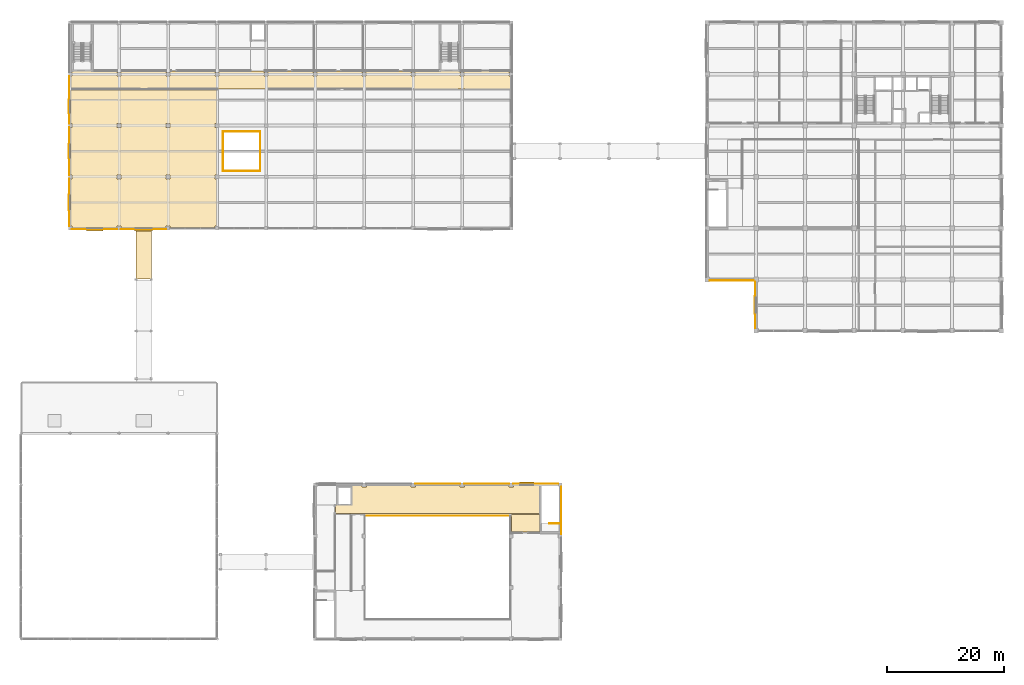
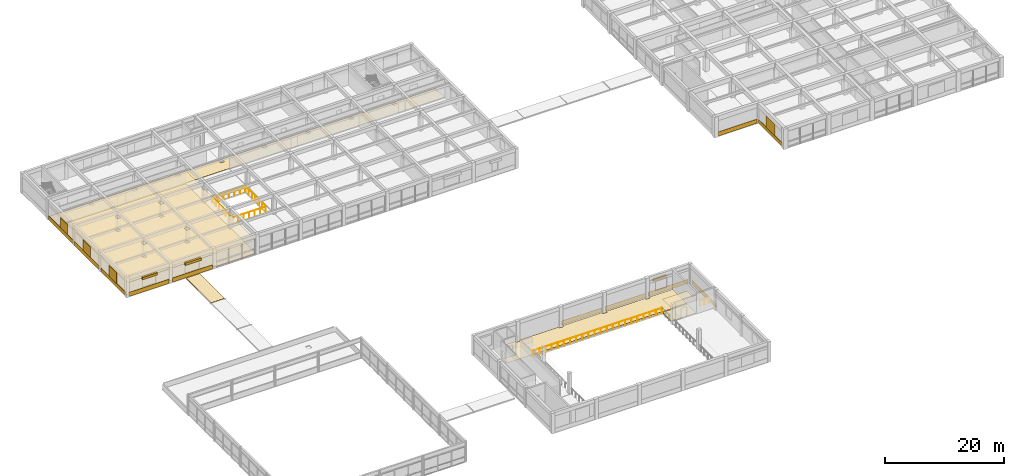
# One storey, part 39 of 46: 18 coverings, 7 shading devices, 6 railings.
"""IFC4 building model written with IfcOpenShell, lengths in metres."""

from ifc_helpers import new_model, si_unit, direction, frame, origin, origin_2d, place, context, subcontext, project, spatial, polyline, rectangle, circle, outline, extrude, material, layer, layer_set, type_object, element, save


model = new_model("IFC4")

# Units and contexts
model_context = context("Model", 3, precision=1e-05, world=origin(), true_north=direction((0.0, 1.0)))
body_context = subcontext(model_context, "Body", "Model", "MODEL_VIEW")
ifc_project = project(units=[si_unit("LENGTHUNIT", "METRE"), si_unit("AREAUNIT", "SQUARE_METRE"), si_unit("VOLUMEUNIT", "CUBIC_METRE"), si_unit("PLANEANGLEUNIT", "RADIAN"), si_unit("MASSUNIT", "GRAM", prefix="KILO")], contexts=[model_context])

# Site, building, storey
site_placement = place(None, origin())
site = spatial("IfcSite", under=ifc_project, at=site_placement, CompositionType="ELEMENT")
building_placement = place(site_placement, origin())
building = spatial("IfcBuilding", under=site, at=building_placement, Name="Kemercrest Conservatory and Botanical Centre", CompositionType="ELEMENT")
storey_placement = place(building_placement, frame((0.0, 0.0, 9.0)))
storey = spatial("IfcBuildingStorey", under=building, at=storey_placement, Name="L02", CompositionType="ELEMENT", Elevation=9.0)

# Coverings
ifc_material_1 = material(Name="Honed limestone almasik ashlar rainscreen", Category="masonry")
ifc_layer_1 = layer(ifc_material_1, 0.0400390625)
ifc_layer_set_1 = layer_set([ifc_layer_1], Name="Honed limestone almasik ashlar rainscreen")
covering_type_1 = type_object("IfcCoveringType", Name="CV-CLD040", PredefinedType="CLADDING", material=ifc_layer_set_1)
covering_1_placement = place(storey_placement, origin())
element("IfcCovering", 1, at=covering_1_placement, inside=storey, type_object=covering_type_1, Name="Exterior stone spandrel cladding (WAL:L02:EXT-060)", PredefinedType="CLADDING", context=body_context, shape_type="SweptSolid", body=[
    extrude(outline(polyline([(100.550048828125, 34.7099609375), (100.590087890625, 34.7099609375), (100.590087890625, 42.889892578125), (100.550048828125, 42.889892578125), (100.550048828125, 34.7099609375)])), origin(), (0.0, 0.0, 1.0), 0.85009765625),
])
covering_2_placement = place(storey_placement, origin())
element("IfcCovering", 2, at=covering_2_placement, inside=storey, type_object=covering_type_1, Name="Exterior stone spandrel cladding (WAL:L02:EXT-061)", PredefinedType="CLADDING", context=body_context, shape_type="SweptSolid", body=[
    extrude(outline(polyline([(100.090087890625, 43.35009765625), (100.090087890625, 43.389892578125), (92.360107421875, 43.389892578125), (92.360107421875, 43.35009765625), (100.090087890625, 43.35009765625)])), origin(), (0.0, 0.0, 1.0), 0.85009765625),
])
covering_3_placement = place(storey_placement, origin())
element("IfcCovering", 3, at=covering_3_placement, inside=storey, type_object=covering_type_1, Name="Exterior stone spandrel cladding (WAL:L02:EXT-062)", PredefinedType="CLADDING", context=body_context, shape_type="SweptSolid", body=[
    extrude(outline(polyline([(91.639892578125, 43.35009765625), (91.639892578125, 43.389892578125), (83.9599609375, 43.389892578125), (83.9599609375, 43.35009765625), (91.639892578125, 43.35009765625)])), origin(), (0.0, 0.0, 1.0), 0.85009765625),
])
covering_4_placement = place(storey_placement, origin())
element("IfcCovering", 4, at=covering_4_placement, inside=storey, type_object=covering_type_1, Name="Exterior stone spandrel cladding (WAL:L02:EXT-063)", PredefinedType="CLADDING", context=body_context, shape_type="SweptSolid", body=[
    extrude(outline(polyline([(83.239990234375, 43.35009765625), (83.239990234375, 43.389892578125), (75.56005859375, 43.389892578125), (75.56005859375, 43.35009765625), (83.239990234375, 43.35009765625)])), origin(), (0.0, 0.0, 1.0), 0.85009765625),
])
covering_5_placement = place(storey_placement, origin())
element("IfcCovering", 5, at=covering_5_placement, inside=storey, type_object=covering_type_1, Name="Exterior stone spandrel cladding (WAL:L02:EXT-117)", PredefinedType="CLADDING", context=body_context, shape_type="SweptSolid", body=[
    extrude(outline(polyline([(16.7099609375, 87.050048828125), (16.7099609375, 87.010009765625), (24.489990234375, 87.010009765625), (24.489990234375, 87.050048828125), (16.7099609375, 87.050048828125)])), origin(), (0.0, 0.0, 1.0), 0.85009765625),
])
covering_6_placement = place(storey_placement, origin())
element("IfcCovering", 6, at=covering_6_placement, inside=storey, type_object=covering_type_1, Name="Exterior stone spandrel cladding (WAL:L02:EXT-118)", PredefinedType="CLADDING", context=body_context, shape_type="SweptSolid", body=[
    extrude(outline(polyline([(25.110107421875, 87.050048828125), (25.110107421875, 87.010009765625), (32.889892578125, 87.010009765625), (32.889892578125, 87.050048828125), (25.110107421875, 87.050048828125)])), origin(), (0.0, 0.0, 1.0), 0.85009765625),
])
covering_7_placement = place(storey_placement, origin())
element("IfcCovering", 7, at=covering_7_placement, inside=storey, type_object=covering_type_1, Name="Exterior stone spandrel cladding (WAL:L02:EXT-135)", PredefinedType="CLADDING", context=body_context, shape_type="SweptSolid", body=[
    extrude(outline(polyline([(16.25, 113.2900390625), (16.2099609375, 113.2900390625), (16.2099609375, 105.110107421875), (16.25, 105.110107421875), (16.25, 113.2900390625)])), origin(), (0.0, 0.0, 1.0), 0.85009765625),
])
covering_8_placement = place(storey_placement, origin())
element("IfcCovering", 8, at=covering_8_placement, inside=storey, type_object=covering_type_1, Name="Exterior stone spandrel cladding (WAL:L02:EXT-136)", PredefinedType="CLADDING", context=body_context, shape_type="SweptSolid", body=[
    extrude(outline(polyline([(16.25, 104.489990234375), (16.2099609375, 104.489990234375), (16.2099609375, 96.31005859375), (16.25, 96.31005859375), (16.25, 104.489990234375)])), origin(), (0.0, 0.0, 1.0), 0.85009765625),
])
covering_9_placement = place(storey_placement, origin())
element("IfcCovering", 9, at=covering_9_placement, inside=storey, type_object=covering_type_1, Name="Exterior stone spandrel cladding (WAL:L02:EXT-137)", PredefinedType="CLADDING", context=body_context, shape_type="SweptSolid", body=[
    extrude(outline(polyline([(16.25, 95.68994140625), (16.2099609375, 95.68994140625), (16.2099609375, 87.510009765625), (16.25, 87.510009765625), (16.25, 95.68994140625)])), origin(), (0.0, 0.0, 1.0), 0.85009765625),
])
covering_10_placement = place(storey_placement, origin())
element("IfcCovering", 10, at=covering_10_placement, inside=storey, type_object=covering_type_1, Name="Exterior stone spandrel cladding (WAL:L02:EXT-208)", PredefinedType="CLADDING", context=body_context, shape_type="SweptSolid", body=[
    extrude(outline(polyline([(126.010009765625, 78.25), (126.010009765625, 78.2099609375), (133.590087890625, 78.2099609375), (133.590087890625, 78.25), (126.010009765625, 78.25)])), origin(), (0.0, 0.0, 1.0), 0.85009765625),
])
covering_11_placement = place(storey_placement, origin())
element("IfcCovering", 11, at=covering_11_placement, inside=storey, type_object=covering_type_1, Name="Exterior stone spandrel cladding (WAL:L02:EXT-209)", PredefinedType="CLADDING", context=body_context, shape_type="SweptSolid", body=[
    extrude(outline(polyline([(133.85009765625, 77.989990234375), (133.81005859375, 77.989990234375), (133.81005859375, 70.010009765625), (133.85009765625, 70.010009765625), (133.85009765625, 77.989990234375)])), origin(), (0.0, 0.0, 1.0), 0.85009765625),
])
ifc_material_2 = material(Name="Perforated acoustic gypsum and mineral-fibre suspended ceiling", Category="gypsum")
ifc_layer_2 = layer(ifc_material_2, 0.034912109375)
ifc_layer_set_2 = layer_set([ifc_layer_2], Name="Perforated acoustic gypsum and mineral-fibre suspended ceiling")
covering_type_2 = type_object("IfcCoveringType", Name="CV-CLG035", PredefinedType="CEILING", material=ifc_layer_set_2)
covering_12_placement = place(storey_placement, frame((0.0, 0.0, 2.699951171875)))
element("IfcCovering", 12, at=covering_12_placement, inside=storey, type_object=covering_type_2, Name="East Upper Gallery Lobby suspended acoustic ceiling", PredefinedType="CEILING", context=body_context, shape_type="SweptSolid", body=[
    extrude(outline(polyline([(92.080078125, 35.080078125), (96.919921875, 35.080078125), (96.919921875, 38.1201171875), (92.080078125, 38.1201171875), (92.080078125, 35.080078125)])), origin(), (0.0, 0.0, 1.0), 0.03515625),
])
covering_13_placement = place(storey_placement, frame((0.0, 0.0, 2.699951171875)))
element("IfcCovering", 13, at=covering_13_placement, inside=storey, type_object=covering_type_2, Name="Pacific Flora Exhibition Gallery suspended acoustic ceiling", PredefinedType="CEILING", context=body_context, shape_type="SweptSolid", body=[
    extrude(outline(polyline([(32.860107421875, 87.5400390625), (33.5400390625, 87.5400390625), (33.5400390625, 87.280029296875), (41.260009765625, 87.280029296875), (41.260009765625, 87.5400390625), (41.52001953125, 87.5400390625), (41.52001953125, 95.659912109375), (41.260009765625, 95.659912109375), (41.260009765625, 96.340087890625), (41.52001953125, 96.340087890625), (41.52001953125, 104.4599609375), (41.260009765625, 104.4599609375), (41.260009765625, 105.139892578125), (41.52001953125, 105.139892578125), (41.52001953125, 110.919921875), (16.47998046875, 110.919921875), (16.47998046875, 105.139892578125), (16.739990234375, 105.139892578125), (16.739990234375, 104.4599609375), (16.47998046875, 104.4599609375), (16.47998046875, 96.340087890625), (16.739990234375, 96.340087890625), (16.739990234375, 95.659912109375), (16.47998046875, 95.659912109375), (16.47998046875, 87.5400390625), (16.739990234375, 87.5400390625), (16.739990234375, 87.280029296875), (24.4599609375, 87.280029296875), (24.4599609375, 87.5400390625), (25.139892578125, 87.5400390625), (25.139892578125, 87.280029296875), (32.860107421875, 87.280029296875), (32.860107421875, 87.5400390625)]), holes=[polyline([(33.5400390625, 95.659912109375), (32.860107421875, 95.659912109375), (32.860107421875, 96.340087890625), (33.5400390625, 96.340087890625), (33.5400390625, 95.659912109375)]), polyline([(33.5400390625, 104.4599609375), (32.860107421875, 104.4599609375), (32.860107421875, 105.139892578125), (33.5400390625, 105.139892578125), (33.5400390625, 104.4599609375)]), polyline([(25.139892578125, 95.659912109375), (24.4599609375, 95.659912109375), (24.4599609375, 96.340087890625), (25.139892578125, 96.340087890625), (25.139892578125, 95.659912109375)]), polyline([(25.139892578125, 104.4599609375), (24.4599609375, 104.4599609375), (24.4599609375, 105.139892578125), (25.139892578125, 105.139892578125), (25.139892578125, 104.4599609375)])]), origin(), (0.0, 0.0, 1.0), 0.03515625),
])
ifc_material_3 = material(Name="Polished limestone terrazzo and seamless laboratory epoxy flooring", Category="masonry")
ifc_layer_3 = layer(ifc_material_3, 0.02001953125)
ifc_layer_set_3 = layer_set([ifc_layer_3], Name="Polished limestone terrazzo and seamless laboratory epoxy flooring")
covering_type_3 = type_object("IfcCoveringType", Name="CV-FLR020", PredefinedType="FLOORING", material=ifc_layer_set_3)
covering_14_placement = place(storey_placement, origin())
element("IfcCovering", 14, at=covering_14_placement, inside=storey, type_object=covering_type_3, Name="Upper Auditorium Gallery Corridor terrazzo floor finish", PredefinedType="FLOORING", context=body_context, shape_type="SweptSolid", body=[
    extrude(outline(polyline([(61.8798828125, 39.719970703125), (61.8798828125, 38.280029296875), (96.919921875, 38.280029296875), (96.919921875, 43.1201171875), (92.389892578125, 43.1201171875), (92.389892578125, 42.81005859375), (91.610107421875, 42.81005859375), (91.610107421875, 43.1201171875), (83.989990234375, 43.1201171875), (83.989990234375, 42.81005859375), (83.2099609375, 42.81005859375), (83.2099609375, 43.1201171875), (75.590087890625, 43.1201171875), (75.590087890625, 42.81005859375), (74.81005859375, 42.81005859375), (74.81005859375, 43.1201171875), (67.18994140625, 43.1201171875), (67.18994140625, 42.81005859375), (66.409912109375, 42.81005859375), (66.409912109375, 43.1201171875), (64.679931640625, 43.1201171875), (64.679931640625, 39.719970703125), (61.8798828125, 39.719970703125)])), origin(), (0.0, 0.0, 1.0), 0.02001953125),
])
covering_15_placement = place(storey_placement, origin())
element("IfcCovering", 15, at=covering_15_placement, inside=storey, type_object=covering_type_3, Name="East Upper Gallery Lobby floor finish", PredefinedType="FLOORING", context=body_context, shape_type="SweptSolid", body=[
    extrude(outline(polyline([(92.080078125, 35.080078125), (96.919921875, 35.080078125), (96.919921875, 38.1201171875), (92.080078125, 38.1201171875), (92.080078125, 35.080078125)])), origin(), (0.0, 0.0, 1.0), 0.02001953125),
])
covering_16_placement = place(storey_placement, origin())
element("IfcCovering", 16, at=covering_16_placement, inside=storey, type_object=covering_type_3, Name="Gallery Spine Corridor floor finish", PredefinedType="FLOORING", context=body_context, shape_type="SweptSolid", body=[
    extrude(outline(polyline([(16.739990234375, 113.260009765625), (16.47998046875, 113.260009765625), (16.47998046875, 111.080078125), (91.919921875, 111.080078125), (91.919921875, 113.260009765625), (91.659912109375, 113.260009765625), (91.659912109375, 113.93994140625), (91.919921875, 113.93994140625), (91.919921875, 114.1201171875), (16.47998046875, 114.1201171875), (16.47998046875, 113.93994140625), (16.739990234375, 113.93994140625), (16.739990234375, 113.260009765625)]), holes=[polyline([(83.93994140625, 113.260009765625), (83.260009765625, 113.260009765625), (83.260009765625, 113.93994140625), (83.93994140625, 113.93994140625), (83.93994140625, 113.260009765625)]), polyline([(75.5400390625, 113.260009765625), (74.860107421875, 113.260009765625), (74.860107421875, 113.93994140625), (75.5400390625, 113.93994140625), (75.5400390625, 113.260009765625)]), polyline([(67.139892578125, 113.260009765625), (66.4599609375, 113.260009765625), (66.4599609375, 113.93994140625), (67.139892578125, 113.93994140625), (67.139892578125, 113.260009765625)]), polyline([(58.739990234375, 113.260009765625), (58.06005859375, 113.260009765625), (58.06005859375, 113.93994140625), (58.739990234375, 113.93994140625), (58.739990234375, 113.260009765625)]), polyline([(50.340087890625, 113.260009765625), (49.659912109375, 113.260009765625), (49.659912109375, 113.93994140625), (50.340087890625, 113.93994140625), (50.340087890625, 113.260009765625)]), polyline([(41.93994140625, 113.260009765625), (41.260009765625, 113.260009765625), (41.260009765625, 113.93994140625), (41.93994140625, 113.93994140625), (41.93994140625, 113.260009765625)]), polyline([(33.5400390625, 113.260009765625), (32.860107421875, 113.260009765625), (32.860107421875, 113.93994140625), (33.5400390625, 113.93994140625), (33.5400390625, 113.260009765625)]), polyline([(25.139892578125, 113.260009765625), (24.4599609375, 113.260009765625), (24.4599609375, 113.93994140625), (25.139892578125, 113.93994140625), (25.139892578125, 113.260009765625)])]), origin(), (0.0, 0.0, 1.0), 0.02001953125),
])
covering_17_placement = place(storey_placement, origin())
element("IfcCovering", 17, at=covering_17_placement, inside=storey, type_object=covering_type_3, Name="Pacific Flora Exhibition Gallery floor finish", PredefinedType="FLOORING", context=body_context, shape_type="SweptSolid", body=[
    extrude(outline(polyline([(32.860107421875, 87.5400390625), (33.5400390625, 87.5400390625), (33.5400390625, 87.280029296875), (41.260009765625, 87.280029296875), (41.260009765625, 87.5400390625), (41.52001953125, 87.5400390625), (41.52001953125, 95.659912109375), (41.260009765625, 95.659912109375), (41.260009765625, 96.340087890625), (41.52001953125, 96.340087890625), (41.52001953125, 104.4599609375), (41.260009765625, 104.4599609375), (41.260009765625, 105.139892578125), (41.52001953125, 105.139892578125), (41.52001953125, 110.919921875), (16.47998046875, 110.919921875), (16.47998046875, 105.139892578125), (16.739990234375, 105.139892578125), (16.739990234375, 104.4599609375), (16.47998046875, 104.4599609375), (16.47998046875, 96.340087890625), (16.739990234375, 96.340087890625), (16.739990234375, 95.659912109375), (16.47998046875, 95.659912109375), (16.47998046875, 87.5400390625), (16.739990234375, 87.5400390625), (16.739990234375, 87.280029296875), (24.4599609375, 87.280029296875), (24.4599609375, 87.5400390625), (25.139892578125, 87.5400390625), (25.139892578125, 87.280029296875), (32.860107421875, 87.280029296875), (32.860107421875, 87.5400390625)]), holes=[polyline([(33.5400390625, 95.659912109375), (32.860107421875, 95.659912109375), (32.860107421875, 96.340087890625), (33.5400390625, 96.340087890625), (33.5400390625, 95.659912109375)]), polyline([(33.5400390625, 104.4599609375), (32.860107421875, 104.4599609375), (32.860107421875, 105.139892578125), (33.5400390625, 105.139892578125), (33.5400390625, 104.4599609375)]), polyline([(25.139892578125, 95.659912109375), (24.4599609375, 95.659912109375), (24.4599609375, 96.340087890625), (25.139892578125, 96.340087890625), (25.139892578125, 95.659912109375)]), polyline([(25.139892578125, 104.4599609375), (24.4599609375, 104.4599609375), (24.4599609375, 105.139892578125), (25.139892578125, 105.139892578125), (25.139892578125, 104.4599609375)])]), origin(), (0.0, 0.0, 1.0), 0.02001953125),
])
ifc_material_4 = material(Name="SBS modified bitumen insulated roofing membrane", Category="roofing")
ifc_layer_4 = layer(ifc_material_4, 0.06005859375)
ifc_layer_set_4 = layer_set([ifc_layer_4], Name="SBS modified bitumen insulated roofing membrane")
covering_type_4 = type_object("IfcCoveringType", Name="CV-RFG060", PredefinedType="ROOFING", material=ifc_layer_set_4)
covering_18_placement = place(storey_placement, origin())
element("IfcCovering", 18, at=covering_18_placement, inside=storey, type_object=covering_type_4, Name="Insulated roof membrane covering (West Botanical Court Covered Passage SJ-2 L02 span 4 slab)", PredefinedType="ROOFING", context=body_context, shape_type="SweptSolid", body=[
    extrude(outline(polyline([(27.699951171875, 78.4599609375), (30.300048828125, 78.4599609375), (30.300048828125, 86.85009765625), (27.699951171875, 86.85009765625), (27.699951171875, 78.4599609375)])), origin(), (0.0, 0.0, 1.0), 0.06005859375),
])

# Railings
ifc_material_5 = material(Name="Painted galvanized steel tubular stair guardrail", Category="steel")
railing_type_1 = type_object("IfcRailingType", Name="GR-STR110", PredefinedType="GUARDRAIL", material=ifc_material_5)
railing_1_placement = place(storey_placement, frame((100.239990234375, 36.590087890625, 0.0)))
element("IfcRailing", 19, at=railing_1_placement, inside=storey, type_object=railing_type_1, Name="L02 ST-V2B top well guard 1", PredefinedType="GUARDRAIL", context=body_context, shape_type="SweptSolid", body=[
    extrude(circle(Radius=0.02392578125, at=origin_2d()), frame((0.0, 0.0, 1.076171875), z_axis=(-1.0, 0.0, 0.0), x_axis=(0.0, -1.0, 0.0)), (0.0, 0.0, 1.0), 1.679931640625),
    extrude(circle(Radius=0.02099609375, at=origin_2d()), origin(), (0.0, 0.0, 1.0), 1.052001953125),
    extrude(circle(Radius=0.02099609375, at=origin_2d()), frame((-0.83984375, 0.0, 0.0)), (0.0, 0.0, 1.0), 1.052001953125),
    extrude(circle(Radius=0.02099609375, at=origin_2d()), frame((-1.679931640625, 0.0, 0.0)), (0.0, 0.0, 1.0), 1.052001953125),
])
ifc_material_6 = material(Name="Architectural bronze-anodized steel balustrade", Category="steel")
railing_type_2 = type_object("IfcRailingType", Name="GR-VOI115", PredefinedType="GUARDRAIL", material=ifc_material_6)
railing_2_placement = place(storey_placement, frame((91.89990234375, 37.89990234375, 0.0)))
element("IfcRailing", 20, at=railing_2_placement, inside=storey, type_object=railing_type_2, Name="Safety guardrail GR-VOI115 (V2-UPPER-3)", PredefinedType="GUARDRAIL", context=body_context, shape_type="SweptSolid", body=[
    extrude(circle(Radius=0.02392578125, at=origin_2d()), frame((0.0, 0.0, 1.1259765625), z_axis=(-1.0, 0.0, 0.0), x_axis=(0.0, -1.0, 0.0)), (0.0, 0.0, 1.0), 25.0),
    extrude(circle(Radius=0.02099609375, at=origin_2d()), origin(), (0.0, 0.0, 1.0), 1.101806640625),
    extrude(circle(Radius=0.02099609375, at=origin_2d()), frame((-1.1904296875, 0.0, 0.0)), (0.0, 0.0, 1.0), 1.101806640625),
    extrude(circle(Radius=0.02099609375, at=origin_2d()), frame((-2.380859375, 0.0, 0.0)), (0.0, 0.0, 1.0), 1.101806640625),
    extrude(circle(Radius=0.02099609375, at=origin_2d()), frame((-3.571533203125, 0.0, 0.0)), (0.0, 0.0, 1.0), 1.101806640625),
    extrude(circle(Radius=0.02099609375, at=origin_2d()), frame((-4.761962890625, 0.0, 0.0)), (0.0, 0.0, 1.0), 1.101806640625),
    extrude(circle(Radius=0.02099609375, at=origin_2d()), frame((-5.952392578125, 0.0, 0.0)), (0.0, 0.0, 1.0), 1.101806640625),
    extrude(circle(Radius=0.02099609375, at=origin_2d()), frame((-7.142822265625, 0.0, 0.0)), (0.0, 0.0, 1.0), 1.101806640625),
    extrude(circle(Radius=0.02099609375, at=origin_2d()), frame((-8.333251953125, 0.0, 0.0)), (0.0, 0.0, 1.0), 1.101806640625),
    extrude(circle(Radius=0.02099609375, at=origin_2d()), frame((-9.52392578125, 0.0, 0.0)), (0.0, 0.0, 1.0), 1.101806640625),
    extrude(circle(Radius=0.02099609375, at=origin_2d()), frame((-10.71435546875, 0.0, 0.0)), (0.0, 0.0, 1.0), 1.101806640625),
    extrude(circle(Radius=0.02099609375, at=origin_2d()), frame((-11.90478515625, 0.0, 0.0)), (0.0, 0.0, 1.0), 1.101806640625),
    extrude(circle(Radius=0.02099609375, at=origin_2d()), frame((-13.09521484375, 0.0, 0.0)), (0.0, 0.0, 1.0), 1.101806640625),
    extrude(circle(Radius=0.02099609375, at=origin_2d()), frame((-14.28564453125, 0.0, 0.0)), (0.0, 0.0, 1.0), 1.101806640625),
    extrude(circle(Radius=0.02099609375, at=origin_2d()), frame((-15.47607421875, 0.0, 0.0)), (0.0, 0.0, 1.0), 1.101806640625),
    extrude(circle(Radius=0.02099609375, at=origin_2d()), frame((-16.666748046875, 0.0, 0.0)), (0.0, 0.0, 1.0), 1.101806640625),
    extrude(circle(Radius=0.02099609375, at=origin_2d()), frame((-17.857177734375, 0.0, 0.0)), (0.0, 0.0, 1.0), 1.101806640625),
    extrude(circle(Radius=0.02099609375, at=origin_2d()), frame((-19.047607421875, 0.0, 0.0)), (0.0, 0.0, 1.0), 1.101806640625),
    extrude(circle(Radius=0.02099609375, at=origin_2d()), frame((-20.238037109375, 0.0, 0.0)), (0.0, 0.0, 1.0), 1.101806640625),
    extrude(circle(Radius=0.02099609375, at=origin_2d()), frame((-21.428466796875, 0.0, 0.0)), (0.0, 0.0, 1.0), 1.101806640625),
    extrude(circle(Radius=0.02099609375, at=origin_2d()), frame((-22.619140625, 0.0, 0.0)), (0.0, 0.0, 1.0), 1.101806640625),
    extrude(circle(Radius=0.02099609375, at=origin_2d()), frame((-23.8095703125, 0.0, 0.0)), (0.0, 0.0, 1.0), 1.101806640625),
    extrude(circle(Radius=0.02099609375, at=origin_2d()), frame((-25.0, 0.0, 0.0)), (0.0, 0.0, 1.0), 1.101806640625),
])
railing_3_placement = place(storey_placement, frame((42.60009765625, 97.0, 0.0)))
element("IfcRailing", 21, at=railing_3_placement, inside=storey, type_object=railing_type_2, Name="Safety guardrail GR-VOI115 (V3-ATRIUM-1)", PredefinedType="GUARDRAIL", context=body_context, shape_type="SweptSolid", body=[
    extrude(circle(Radius=0.02392578125, at=origin_2d()), frame((0.0, 0.0, 1.1259765625), z_axis=(1.0, 0.0, 0.0), x_axis=(0.0, 1.0, 0.0)), (0.0, 0.0, 1.0), 6.39990234375),
    extrude(circle(Radius=0.02099609375, at=origin_2d()), origin(), (0.0, 0.0, 1.0), 1.101806640625),
    extrude(circle(Radius=0.02099609375, at=origin_2d()), frame((1.066650390625, 0.0, 0.0)), (0.0, 0.0, 1.0), 1.101806640625),
    extrude(circle(Radius=0.02099609375, at=origin_2d()), frame((2.13330078125, 0.0, 0.0)), (0.0, 0.0, 1.0), 1.101806640625),
    extrude(circle(Radius=0.02099609375, at=origin_2d()), frame((3.199951171875, 0.0, 0.0)), (0.0, 0.0, 1.0), 1.101806640625),
    extrude(circle(Radius=0.02099609375, at=origin_2d()), frame((4.2666015625, 0.0, 0.0)), (0.0, 0.0, 1.0), 1.101806640625),
    extrude(circle(Radius=0.02099609375, at=origin_2d()), frame((5.333251953125, 0.0, 0.0)), (0.0, 0.0, 1.0), 1.101806640625),
    extrude(circle(Radius=0.02099609375, at=origin_2d()), frame((6.39990234375, 0.0, 0.0)), (0.0, 0.0, 1.0), 1.101806640625),
])
railing_4_placement = place(storey_placement, frame((49.0, 97.0, 0.0)))
element("IfcRailing", 22, at=railing_4_placement, inside=storey, type_object=railing_type_2, Name="Safety guardrail GR-VOI115 (V3-ATRIUM-2)", PredefinedType="GUARDRAIL", context=body_context, shape_type="SweptSolid", body=[
    extrude(circle(Radius=0.02392578125, at=origin_2d()), frame((0.0, 0.0, 1.1259765625), z_axis=(0.0, 1.0, 0.0), x_axis=(-1.0, 0.0, 0.0)), (0.0, 0.0, 1.0), 6.800048828125),
    extrude(circle(Radius=0.02099609375, at=origin_2d()), origin(), (0.0, 0.0, 1.0), 1.101806640625),
    extrude(circle(Radius=0.02099609375, at=origin_2d()), frame((0.0, 1.13330078125, 0.0)), (0.0, 0.0, 1.0), 1.101806640625),
    extrude(circle(Radius=0.02099609375, at=origin_2d()), frame((0.0, 2.2666015625, 0.0)), (0.0, 0.0, 1.0), 1.101806640625),
    extrude(circle(Radius=0.02099609375, at=origin_2d()), frame((0.0, 3.39990234375, 0.0)), (0.0, 0.0, 1.0), 1.101806640625),
    extrude(circle(Radius=0.02099609375, at=origin_2d()), frame((0.0, 4.533447265625, 0.0)), (0.0, 0.0, 1.0), 1.101806640625),
    extrude(circle(Radius=0.02099609375, at=origin_2d()), frame((0.0, 5.666748046875, 0.0)), (0.0, 0.0, 1.0), 1.101806640625),
    extrude(circle(Radius=0.02099609375, at=origin_2d()), frame((0.0, 6.800048828125, 0.0)), (0.0, 0.0, 1.0), 1.101806640625),
])
railing_5_placement = place(storey_placement, frame((49.0, 103.800048828125, 0.0)))
element("IfcRailing", 23, at=railing_5_placement, inside=storey, type_object=railing_type_2, Name="Safety guardrail GR-VOI115 (V3-ATRIUM-3)", PredefinedType="GUARDRAIL", context=body_context, shape_type="SweptSolid", body=[
    extrude(circle(Radius=0.02392578125, at=origin_2d()), frame((0.0, 0.0, 1.1259765625), z_axis=(-1.0, 0.0, 0.0), x_axis=(0.0, -1.0, 0.0)), (0.0, 0.0, 1.0), 6.39990234375),
    extrude(circle(Radius=0.02099609375, at=origin_2d()), origin(), (0.0, 0.0, 1.0), 1.101806640625),
    extrude(circle(Radius=0.02099609375, at=origin_2d()), frame((-1.066650390625, 0.0, 0.0)), (0.0, 0.0, 1.0), 1.101806640625),
    extrude(circle(Radius=0.02099609375, at=origin_2d()), frame((-2.13330078125, 0.0, 0.0)), (0.0, 0.0, 1.0), 1.101806640625),
    extrude(circle(Radius=0.02099609375, at=origin_2d()), frame((-3.199951171875, 0.0, 0.0)), (0.0, 0.0, 1.0), 1.101806640625),
    extrude(circle(Radius=0.02099609375, at=origin_2d()), frame((-4.2666015625, 0.0, 0.0)), (0.0, 0.0, 1.0), 1.101806640625),
    extrude(circle(Radius=0.02099609375, at=origin_2d()), frame((-5.333251953125, 0.0, 0.0)), (0.0, 0.0, 1.0), 1.101806640625),
    extrude(circle(Radius=0.02099609375, at=origin_2d()), frame((-6.39990234375, 0.0, 0.0)), (0.0, 0.0, 1.0), 1.101806640625),
])
railing_6_placement = place(storey_placement, frame((42.60009765625, 103.800048828125, 0.0)))
element("IfcRailing", 24, at=railing_6_placement, inside=storey, type_object=railing_type_2, Name="Safety guardrail GR-VOI115 (V3-ATRIUM-4)", PredefinedType="GUARDRAIL", context=body_context, shape_type="SweptSolid", body=[
    extrude(circle(Radius=0.02392578125, at=origin_2d()), frame((0.0, 0.0, 1.1259765625), z_axis=(0.0, -1.0, 0.0), x_axis=(1.0, 0.0, 0.0)), (0.0, 0.0, 1.0), 6.800048828125),
    extrude(circle(Radius=0.02099609375, at=origin_2d()), origin(), (0.0, 0.0, 1.0), 1.101806640625),
    extrude(circle(Radius=0.02099609375, at=origin_2d()), frame((0.0, -1.13330078125, 0.0)), (0.0, 0.0, 1.0), 1.101806640625),
    extrude(circle(Radius=0.02099609375, at=origin_2d()), frame((0.0, -2.2666015625, 0.0)), (0.0, 0.0, 1.0), 1.101806640625),
    extrude(circle(Radius=0.02099609375, at=origin_2d()), frame((0.0, -3.39990234375, 0.0)), (0.0, 0.0, 1.0), 1.101806640625),
    extrude(circle(Radius=0.02099609375, at=origin_2d()), frame((0.0, -4.533447265625, 0.0)), (0.0, 0.0, 1.0), 1.101806640625),
    extrude(circle(Radius=0.02099609375, at=origin_2d()), frame((0.0, -5.666748046875, 0.0)), (0.0, 0.0, 1.0), 1.101806640625),
    extrude(circle(Radius=0.02099609375, at=origin_2d()), frame((0.0, -6.800048828125, 0.0)), (0.0, 0.0, 1.0), 1.101806640625),
])

# Shading devices
ifc_material_7 = material(Name="Architectural bronze-anodized extruded aluminium", Category="aluminium")
shading_device_type_1 = type_object("IfcShadingDeviceType", Name="SH-JL02", PredefinedType="JALOUSIE", material=ifc_material_7)
shading_device_1_placement = place(storey_placement, frame((94.679931640625, 43.52294921875, 2.705078125), z_axis=(0.0, 0.0, 1.0), x_axis=(-1.0, 0.0, 0.0)))
element("IfcShadingDevice", 25, at=shading_device_1_placement, inside=storey, type_object=shading_device_type_1, Name="Solar control louvre visor SH-JL02 (WIN:L02:EXT-061)", PredefinedType="JALOUSIE", context=body_context, shape_type="SweptSolid", body=[
    extrude(rectangle(XDim=2.530029296875, YDim=0.35009765625, at=origin_2d()), origin(), (0.0, 0.0, 1.0), 0.449951171875),
])
shading_device_type_2 = type_object("IfcShadingDeviceType", Name="SH-JL03", PredefinedType="JALOUSIE", material=ifc_material_7)
shading_device_2_placement = place(storey_placement, frame((20.60009765625, 86.876953125, 2.7548828125), z_axis=(0.0, 0.0, 1.0), x_axis=(1.0, 0.0, 0.0)))
element("IfcShadingDevice", 26, at=shading_device_2_placement, inside=storey, type_object=shading_device_type_2, Name="Solar control louvre visor SH-JL03 (WIN:L02:EXT-117)", PredefinedType="JALOUSIE", context=body_context, shape_type="SweptSolid", body=[
    extrude(rectangle(XDim=2.8798828125, YDim=0.35009765625, at=origin_2d()), origin(), (0.0, 0.0, 1.0), 0.449951171875),
])
shading_device_type_3 = type_object("IfcShadingDeviceType", Name="SH-JL04", PredefinedType="JALOUSIE", material=ifc_material_7)
shading_device_3_placement = place(storey_placement, frame((29.0, 86.876953125, 2.780029296875), z_axis=(0.0, 0.0, 1.0), x_axis=(1.0, 0.0, 0.0)))
element("IfcShadingDevice", 27, at=shading_device_3_placement, inside=storey, type_object=shading_device_type_3, Name="Solar control louvre visor SH-JL04 (WIN:L02:EXT-118)", PredefinedType="JALOUSIE", context=body_context, shape_type="SweptSolid", body=[
    extrude(rectangle(XDim=3.10009765625, YDim=0.35009765625, at=origin_2d()), origin(), (0.0, 0.0, 1.0), 0.5),
])
ifc_material_8 = material(Name="Perforated bronze-anodized aluminium", Category="aluminium")
shading_device_type_4 = type_object("IfcShadingDeviceType", Name="SH-MS01", PredefinedType="USERDEFINED", material=ifc_material_8)
shading_device_4_placement = place(storey_placement, frame((16.2119140625, 108.054931640625, 0.81982421875), z_axis=(0.0, 0.0, 1.0), x_axis=(0.0, -1.0, 0.0)))
element("IfcShadingDevice", 28, at=shading_device_4_placement, inside=storey, type_object=shading_device_type_4, Name="Ottoman mashrabiya perforated screen SH-MS01 (WIN:L02:EXT-135)", ObjectType="MASHRABIYA SCREEN", PredefinedType="USERDEFINED", context=body_context, shape_type="SweptSolid", body=[
    extrude(rectangle(XDim=2.320068359375, YDim=0.080078125, at=origin_2d()), origin(), (0.0, 0.0, 1.0), 2.139892578125),
])
shading_device_type_5 = type_object("IfcShadingDeviceType", Name="SH-MS02", PredefinedType="USERDEFINED", material=ifc_material_8)
shading_device_5_placement = place(storey_placement, frame((16.2119140625, 100.39990234375, 0.81982421875), z_axis=(0.0, 0.0, 1.0), x_axis=(0.0, -1.0, 0.0)))
element("IfcShadingDevice", 29, at=shading_device_5_placement, inside=storey, type_object=shading_device_type_5, Name="Ottoman mashrabiya perforated screen SH-MS02 (WIN:L02:EXT-136)", ObjectType="MASHRABIYA SCREEN", PredefinedType="USERDEFINED", context=body_context, shape_type="SweptSolid", body=[
    extrude(rectangle(XDim=2.4599609375, YDim=0.080078125, at=origin_2d()), origin(), (0.0, 0.0, 1.0), 2.179931640625),
])
shading_device_type_6 = type_object("IfcShadingDeviceType", Name="SH-MS03", PredefinedType="USERDEFINED", material=ifc_material_8)
shading_device_6_placement = place(storey_placement, frame((16.2119140625, 91.60009765625, 0.81982421875), z_axis=(0.0, 0.0, 1.0), x_axis=(0.0, -1.0, 0.0)))
element("IfcShadingDevice", 30, at=shading_device_6_placement, inside=storey, type_object=shading_device_type_6, Name="Ottoman mashrabiya perforated screen SH-MS03 (WIN:L02:EXT-137)", ObjectType="MASHRABIYA SCREEN", PredefinedType="USERDEFINED", context=body_context, shape_type="SweptSolid", body=[
    extrude(rectangle(XDim=2.60009765625, YDim=0.080078125, at=origin_2d()), origin(), (0.0, 0.0, 1.0), 2.219970703125),
])
shading_device_type_7 = type_object("IfcShadingDeviceType", Name="SH-MS05", PredefinedType="USERDEFINED", material=ifc_material_8)
shading_device_7_placement = place(storey_placement, frame((133.81201171875, 74.0, 0.81982421875), z_axis=(0.0, 0.0, 1.0), x_axis=(0.0, -1.0, 0.0)))
element("IfcShadingDevice", 31, at=shading_device_7_placement, inside=storey, type_object=shading_device_type_7, Name="Ottoman mashrabiya perforated screen SH-MS05 (WIN:L02:EXT-209)", ObjectType="MASHRABIYA SCREEN", PredefinedType="USERDEFINED", context=body_context, shape_type="SweptSolid", body=[
    extrude(rectangle(XDim=3.0, YDim=0.080078125, at=origin_2d()), origin(), (0.0, 0.0, 1.0), 2.320068359375),
])

save(model, "model.ifc")
